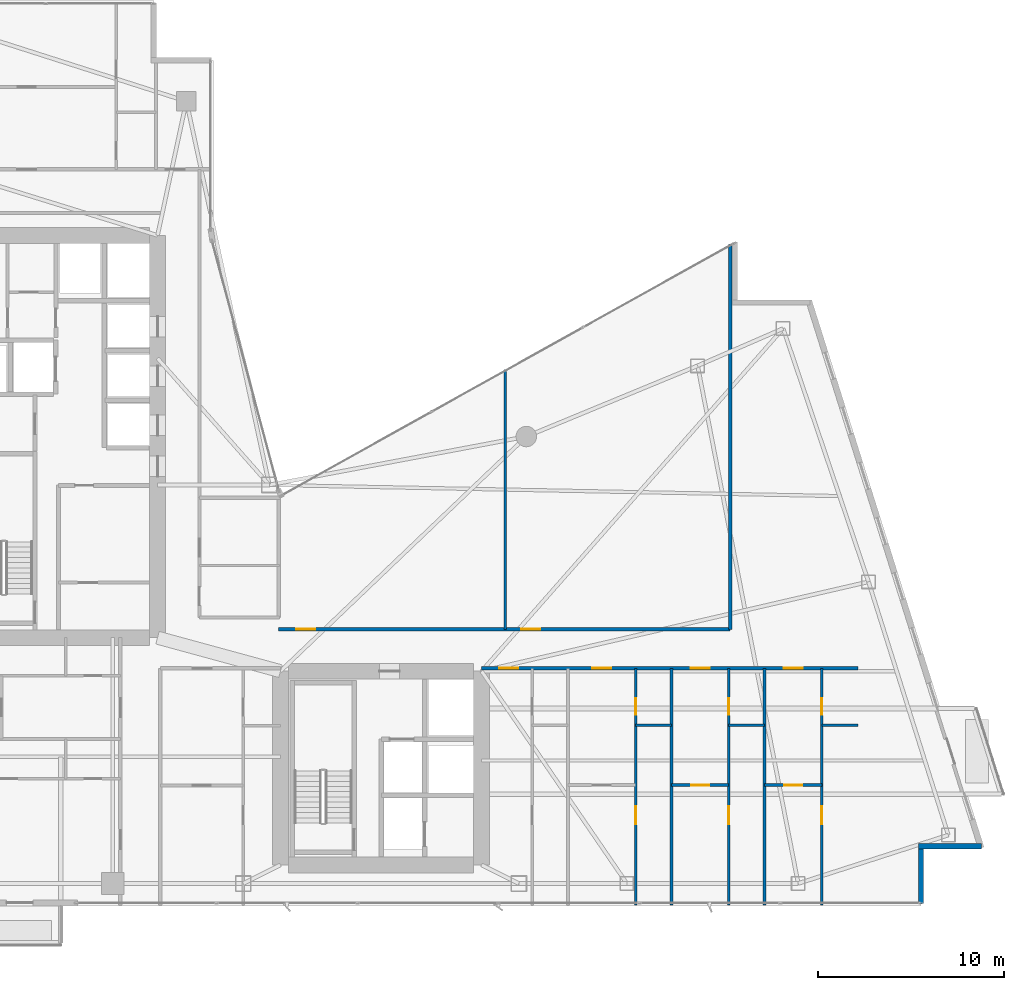
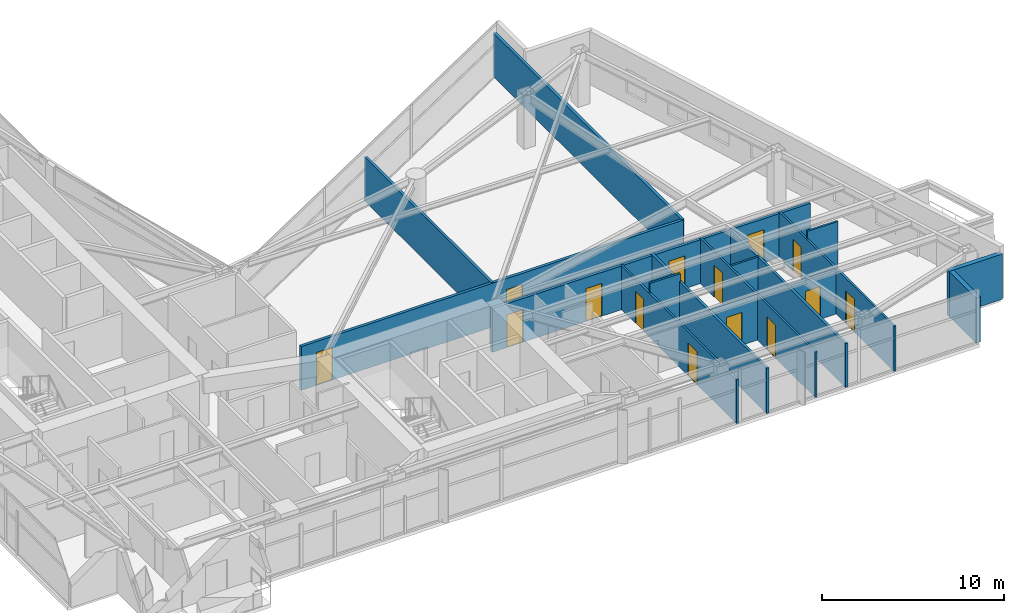
# One storey, part 24 of 29: 16 walls, 14 doors, 14 openings.
"""IFC4 building model written with IfcOpenShell, lengths in metres."""

from ifc_helpers import new_model, si_unit, direction, frame, frame_2d, origin, place, context, subcontext, project, spatial, rectangle, extrude, material, layer, layer_set, type_object, element, fill, save


model = new_model("IFC4")

# Units and contexts
model_context = context("Model", 3, precision=1e-05, world=origin(), true_north=direction((0.0, 1.0)))
body_context = subcontext(model_context, "Body", "Model", "MODEL_VIEW")
ifc_project = project(units=[si_unit("LENGTHUNIT", "METRE"), si_unit("AREAUNIT", "SQUARE_METRE"), si_unit("VOLUMEUNIT", "CUBIC_METRE"), si_unit("PLANEANGLEUNIT", "RADIAN"), si_unit("MASSUNIT", "GRAM", prefix="KILO")], contexts=[model_context])

# Site, building, storey
site_placement = place(None, origin())
site = spatial("IfcSite", under=ifc_project, at=site_placement, CompositionType="ELEMENT")
building_placement = place(site_placement, origin())
building = spatial("IfcBuilding", under=site, at=building_placement, Name="Calvorn Quay Hotel", CompositionType="ELEMENT")
storey_placement = place(building_placement, frame((0.0, 0.0, 167.5)))
storey = spatial("IfcBuildingStorey", under=building, at=storey_placement, Name="L41", CompositionType="ELEMENT", Elevation=167.5)

# Wall, openings, doors
ifc_material_1 = material(Name="Acoustic Fireboard Steel-Stud Partition", Category="steel")
ifc_layer_1 = layer(ifc_material_1, 0.179931640625)
ifc_layer_set_1 = layer_set([ifc_layer_1], Name="WL-CORR-FIRE-180")
wall_type_1 = type_object("IfcWallType", Name="WL-CORR-FIRE-180", PredefinedType="PARTITIONING", material=ifc_layer_set_1)
wall_1_placement = place(storey_placement, frame((32.39990234375, 15.14990234375, 0.0), z_axis=(0.0, 0.0, 1.0), x_axis=(1.0, 0.0, 0.0)))
wall_1 = element("IfcWall", 1, at=wall_1_placement, inside=storey, type_object=wall_type_1, Name="Partition Wall L41-WL-CORR-SE-S", PredefinedType="PARTITIONING", context=body_context, shape_type="SweptSolid", body=[
    extrude(rectangle(XDim=20.2001953125, YDim=0.179931640625, at=frame_2d((10.10009765625, 0.0))), origin(), (0.0, 0.0, 1.0), 2.93994140625),
])
opening_1_placement = place(wall_1_placement, frame((0.949951171875, 0.0, 0.0)))
opening_1 = element("IfcOpeningElement", 2, at=opening_1_placement, cuts=wall_1, Name="Opening D-L41-U05", PredefinedType="OPENING", context=body_context, shape_type="SweptSolid", body=[
    extrude(rectangle(XDim=1.02001953125, YDim=2.199951171875, at=frame_2d((0.510009765625, 1.10009765625))), frame((0.0, 0.099853515625, 0.0), z_axis=(0.0, -1.0, 0.0), x_axis=(1.0, 0.0, 0.0)), (0.0, 0.0, 1.0), 0.199951171875),
])
opening_2_placement = place(wall_1_placement, frame((5.949951171875, 0.0, 0.0)))
opening_2 = element("IfcOpeningElement", 3, at=opening_2_placement, cuts=wall_1, Name="Opening D-L41-U06", PredefinedType="OPENING", context=body_context, shape_type="SweptSolid", body=[
    extrude(rectangle(XDim=1.02001953125, YDim=2.199951171875, at=frame_2d((0.510009765625, 1.10009765625))), frame((0.0, 0.099853515625, 0.0), z_axis=(0.0, -1.0, 0.0), x_axis=(1.0, 0.0, 0.0)), (0.0, 0.0, 1.0), 0.199951171875),
])
opening_3_placement = place(wall_1_placement, frame((11.219970703125, 0.0, 0.0)))
opening_3 = element("IfcOpeningElement", 4, at=opening_3_placement, cuts=wall_1, Name="Opening D-L41-U07", PredefinedType="OPENING", context=body_context, shape_type="SweptSolid", body=[
    extrude(rectangle(XDim=1.02001953125, YDim=2.199951171875, at=frame_2d((0.510009765625, 1.10009765625))), frame((0.0, 0.099853515625, 0.0), z_axis=(0.0, -1.0, 0.0), x_axis=(1.0, 0.0, 0.0)), (0.0, 0.0, 1.0), 0.199951171875),
])
opening_4_placement = place(wall_1_placement, frame((16.219970703125, 0.0, 0.0)))
opening_4 = element("IfcOpeningElement", 5, at=opening_4_placement, cuts=wall_1, Name="Opening D-L41-U08", PredefinedType="OPENING", context=body_context, shape_type="SweptSolid", body=[
    extrude(rectangle(XDim=1.02001953125, YDim=2.199951171875, at=frame_2d((0.510009765625, 1.10009765625))), frame((0.0, 0.099853515625, 0.0), z_axis=(0.0, -1.0, 0.0), x_axis=(1.0, 0.0, 0.0)), (0.0, 0.0, 1.0), 0.199951171875),
])
ifc_material_2 = material(Name="Solid-Core Walnut Veneer Hotel Fire Door")
door_type_1 = type_object("IfcDoorType", Name="DR-GUEST-ENTRY-1020", OperationType="NOTDEFINED", PredefinedType="DOOR", material=ifc_material_2)
door_1_placement = place(opening_1_placement, origin())
door_1 = element("IfcDoor", 6, at=door_1_placement, inside=storey, type_object=door_type_1, Name="South-East Unit Door U05 (L41)", OperationType="SINGLE_SWING_LEFT", OverallHeight=2.199951171875, OverallWidth=1.02001953125, PredefinedType="DOOR", context=body_context, shape_type="SweptSolid", body=[
    extrude(rectangle(XDim=1.02001953125, YDim=2.199951171875, at=frame_2d((0.510009765625, 1.10009765625))), frame((0.0, 0.02490234375, 0.0), z_axis=(0.0, -1.0, 0.0), x_axis=(1.0, 0.0, 0.0)), (0.0, 0.0, 1.0), 0.050048828125),
])
fill(opening_1, door_1)
door_2_placement = place(opening_2_placement, origin())
door_2 = element("IfcDoor", 7, at=door_2_placement, inside=storey, type_object=door_type_1, Name="South-East Unit Door U06 (L41)", OperationType="SINGLE_SWING_RIGHT", OverallHeight=2.199951171875, OverallWidth=1.02001953125, PredefinedType="DOOR", context=body_context, shape_type="SweptSolid", body=[
    extrude(rectangle(XDim=1.02001953125, YDim=2.199951171875, at=frame_2d((0.510009765625, 1.10009765625))), frame((0.0, 0.02490234375, 0.0), z_axis=(0.0, -1.0, 0.0), x_axis=(1.0, 0.0, 0.0)), (0.0, 0.0, 1.0), 0.050048828125),
])
fill(opening_2, door_2)
door_3_placement = place(opening_3_placement, origin())
door_3 = element("IfcDoor", 8, at=door_3_placement, inside=storey, type_object=door_type_1, Name="South-East Unit Door U07 (L41)", OperationType="SINGLE_SWING_LEFT", OverallHeight=2.199951171875, OverallWidth=1.02001953125, PredefinedType="DOOR", context=body_context, shape_type="SweptSolid", body=[
    extrude(rectangle(XDim=1.02001953125, YDim=2.199951171875, at=frame_2d((0.510009765625, 1.10009765625))), frame((0.0, 0.02490234375, 0.0), z_axis=(0.0, -1.0, 0.0), x_axis=(1.0, 0.0, 0.0)), (0.0, 0.0, 1.0), 0.050048828125),
])
fill(opening_3, door_3)
door_4_placement = place(opening_4_placement, origin())
door_4 = element("IfcDoor", 9, at=door_4_placement, inside=storey, type_object=door_type_1, Name="South-East Unit Door U08 (L41)", OperationType="SINGLE_SWING_RIGHT", OverallHeight=2.199951171875, OverallWidth=1.02001953125, PredefinedType="DOOR", context=body_context, shape_type="SweptSolid", body=[
    extrude(rectangle(XDim=1.02001953125, YDim=2.199951171875, at=frame_2d((0.510009765625, 1.10009765625))), frame((0.0, 0.02490234375, 0.0), z_axis=(0.0, -1.0, 0.0), x_axis=(1.0, 0.0, 0.0)), (0.0, 0.0, 1.0), 0.050048828125),
])
fill(opening_4, door_4)

wall_2_placement = place(storey_placement, frame((21.5, 17.25, 0.0), z_axis=(0.0, 0.0, 1.0), x_axis=(1.0, 0.0, 0.0)))
wall_2 = element("IfcWall", 10, at=wall_2_placement, inside=storey, type_object=wall_type_1, Name="Partition Wall L41-WL-CORR-NE-N", PredefinedType="PARTITIONING", context=body_context, shape_type="SweptSolid", body=[
    extrude(rectangle(XDim=24.25, YDim=0.179931640625, at=frame_2d((12.125, 0.0))), origin(), (0.0, 0.0, 1.0), 2.93994140625),
])
opening_5_placement = place(wall_2_placement, frame((0.949951171875, 0.0, 0.0)))
opening_5 = element("IfcOpeningElement", 11, at=opening_5_placement, cuts=wall_2, Name="Opening D-L41-NS1", PredefinedType="OPENING", context=body_context, shape_type="SweptSolid", body=[
    extrude(rectangle(XDim=1.02001953125, YDim=2.199951171875, at=frame_2d((0.510009765625, 1.10009765625))), frame((0.0, 0.099853515625, 0.0), z_axis=(0.0, -1.0, 0.0), x_axis=(1.0, 0.0, 0.0)), (0.0, 0.0, 1.0), 0.199951171875),
])
opening_6_placement = place(wall_2_placement, frame((13.02001953125, 0.0, 0.0)))
opening_6 = element("IfcOpeningElement", 12, at=opening_6_placement, cuts=wall_2, Name="Opening D-L41-NS2", PredefinedType="OPENING", context=body_context, shape_type="SweptSolid", body=[
    extrude(rectangle(XDim=1.02001953125, YDim=2.199951171875, at=frame_2d((0.510009765625, 1.10009765625))), frame((0.0, 0.099853515625, 0.0), z_axis=(0.0, -1.0, 0.0), x_axis=(1.0, 0.0, 0.0)), (0.0, 0.0, 1.0), 0.199951171875),
])
door_5_placement = place(opening_5_placement, origin())
door_5 = element("IfcDoor", 13, at=door_5_placement, inside=storey, type_object=door_type_1, Name="Conservatory Salon Door 1 (L41)", OperationType="SINGLE_SWING_RIGHT", OverallHeight=2.199951171875, OverallWidth=1.02001953125, PredefinedType="DOOR", context=body_context, shape_type="SweptSolid", body=[
    extrude(rectangle(XDim=1.02001953125, YDim=2.199951171875, at=frame_2d((0.510009765625, 1.10009765625))), frame((0.0, 0.02490234375, 0.0), z_axis=(0.0, -1.0, 0.0), x_axis=(1.0, 0.0, 0.0)), (0.0, 0.0, 1.0), 0.050048828125),
])
fill(opening_5, door_5)
door_6_placement = place(opening_6_placement, origin())
door_6 = element("IfcDoor", 14, at=door_6_placement, inside=storey, type_object=door_type_1, Name="Conservatory Salon Door 2 (L41)", OperationType="SINGLE_SWING_LEFT", OverallHeight=2.199951171875, OverallWidth=1.02001953125, PredefinedType="DOOR", context=body_context, shape_type="SweptSolid", body=[
    extrude(rectangle(XDim=1.02001953125, YDim=2.199951171875, at=frame_2d((0.510009765625, 1.10009765625))), frame((0.0, 0.02490234375, 0.0), z_axis=(0.0, -1.0, 0.0), x_axis=(1.0, 0.0, 0.0)), (0.0, 0.0, 1.0), 0.050048828125),
])
fill(opening_6, door_6)

# Walls
wall_3_placement = place(storey_placement, frame((45.75, 17.25, 0.0), z_axis=(0.0, 0.0, 1.0), x_axis=(0.0, 1.0, 0.0)))
element("IfcWall", 15, at=wall_3_placement, inside=storey, type_object=wall_type_1, Name="Partition Wall L41-WL-NE-END-E", PredefinedType="PARTITIONING", context=body_context, shape_type="SweptSolid", body=[
    extrude(rectangle(XDim=20.68994140625, YDim=0.179931640625, at=frame_2d((10.344970703125, 0.0))), origin(), (0.0, 0.0, 1.0), 2.93994140625),
])
ifc_material_3 = material(Name="Moisture-Resistant Tile-Backed Partition")
ifc_layer_2 = layer(ifc_material_3, 0.125)
ifc_layer_set_2 = layer_set([ifc_layer_2], Name="WL-ENSUITE-125")
wall_type_2 = type_object("IfcWallType", Name="WL-ENSUITE-125", PredefinedType="PARTITIONING", material=ifc_layer_set_2)
wall_4_placement = place(storey_placement, frame((40.669921875, 12.10009765625, 0.0), z_axis=(0.0, 0.0, 1.0), x_axis=(1.0, 0.0, 0.0)))
element("IfcWall", 16, at=wall_4_placement, inside=storey, type_object=wall_type_2, Name="Partition Wall L41-WL-U06-BDV", PredefinedType="PARTITIONING", context=body_context, shape_type="SweptSolid", body=[
    extrude(rectangle(XDim=1.93017578125, YDim=0.125, at=frame_2d((0.965087890625, 0.0))), origin(), (0.0, 0.0, 1.0), 3.56005859375),
])

# Wall, openings, doors
wall_5_placement = place(storey_placement, frame((40.669921875, 2.43994140625, 0.0), z_axis=(0.0, 0.0, 1.0), x_axis=(0.0, 1.0, 0.0)))
wall_5 = element("IfcWall", 17, at=wall_5_placement, inside=storey, type_object=wall_type_2, Name="Partition Wall L41-WL-U06-BV", PredefinedType="PARTITIONING", context=body_context, shape_type="SweptSolid", body=[
    extrude(rectangle(XDim=12.7099609375, YDim=0.125, at=frame_2d((6.35498046875, 0.0))), origin(), (0.0, 0.0, 1.0), 2.93994140625),
])
opening_7_placement = place(wall_5_placement, frame((4.35009765625, 0.0, 0.0)))
opening_7 = element("IfcOpeningElement", 18, at=opening_7_placement, cuts=wall_5, Name="Opening D-L41-S06", PredefinedType="OPENING", context=body_context, shape_type="SweptSolid", body=[
    extrude(rectangle(XDim=0.9599609375, YDim=2.199951171875, at=frame_2d((0.47998046875, 1.10009765625))), frame((0.0, 0.072509765625, 0.0), z_axis=(0.0, -1.0, 0.0), x_axis=(1.0, 0.0, 0.0)), (0.0, 0.0, 1.0), 0.14501953125),
])
opening_8_placement = place(wall_5_placement, frame((10.2099609375, 0.0, 0.0)))
opening_8 = element("IfcOpeningElement", 19, at=opening_8_placement, cuts=wall_5, Name="Opening D-L41-E06", PredefinedType="OPENING", context=body_context, shape_type="SweptSolid", body=[
    extrude(rectangle(XDim=0.89990234375, YDim=2.14990234375, at=frame_2d((0.449951171875, 1.074951171875))), frame((0.0, 0.072509765625, 0.0), z_axis=(0.0, -1.0, 0.0), x_axis=(1.0, 0.0, 0.0)), (0.0, 0.0, 1.0), 0.14501953125),
])
ifc_material_4 = material(Name="Moisture-Sealed Timber En-Suite Door", Category="wood")
door_type_2 = type_object("IfcDoorType", Name="DR-ENSUITE-900", OperationType="NOTDEFINED", PredefinedType="DOOR", material=ifc_material_4)
door_7_placement = place(opening_8_placement, origin())
door_7 = element("IfcDoor", 20, at=door_7_placement, inside=storey, type_object=door_type_2, Name="En-Suite Door 06", OperationType="SINGLE_SWING_RIGHT", OverallHeight=2.14990234375, OverallWidth=0.89990234375, PredefinedType="DOOR", context=body_context, shape_type="SweptSolid", body=[
    extrude(rectangle(XDim=0.89990234375, YDim=2.14990234375, at=frame_2d((0.449951171875, 1.074951171875))), frame((0.0, 0.02490234375, 0.0), z_axis=(0.0, -1.0, 0.0), x_axis=(1.0, 0.0, 0.0)), (0.0, 0.0, 1.0), 0.050048828125),
])
fill(opening_8, door_7)
ifc_material_5 = material(Name="Solid Timber Internal Suite Door", Category="wood")
door_type_3 = type_object("IfcDoorType", Name="DR-SUITE-INT-960", OperationType="NOTDEFINED", PredefinedType="DOOR", material=ifc_material_5)
door_8_placement = place(opening_7_placement, origin())
door_8 = element("IfcDoor", 21, at=door_8_placement, inside=storey, type_object=door_type_3, Name="Private Media Cinema Door 06", OperationType="SINGLE_SWING_LEFT", OverallHeight=2.199951171875, OverallWidth=0.9599609375, PredefinedType="DOOR", context=body_context, shape_type="SweptSolid", body=[
    extrude(rectangle(XDim=0.9599609375, YDim=2.199951171875, at=frame_2d((0.47998046875, 1.10009765625))), frame((0.0, 0.02490234375, 0.0), z_axis=(0.0, -1.0, 0.0), x_axis=(1.0, 0.0, 0.0)), (0.0, 0.0, 1.0), 0.050048828125),
])
fill(opening_7, door_8)

# Wall
wall_6_placement = place(storey_placement, frame((45.669921875, 12.10009765625, 0.0), z_axis=(0.0, 0.0, 1.0), x_axis=(1.0, 0.0, 0.0)))
element("IfcWall", 22, at=wall_6_placement, inside=storey, type_object=wall_type_2, Name="Partition Wall L41-WL-U07-BDV", PredefinedType="PARTITIONING", context=body_context, shape_type="SweptSolid", body=[
    extrude(rectangle(XDim=1.93017578125, YDim=0.125, at=frame_2d((0.965087890625, 0.0))), origin(), (0.0, 0.0, 1.0), 2.93994140625),
])

# Wall, openings, doors
wall_7_placement = place(storey_placement, frame((45.669921875, 2.43994140625, 0.0), z_axis=(0.0, 0.0, 1.0), x_axis=(0.0, 1.0, 0.0)))
wall_7 = element("IfcWall", 23, at=wall_7_placement, inside=storey, type_object=wall_type_2, Name="Partition Wall L41-WL-U07-BV", PredefinedType="PARTITIONING", context=body_context, shape_type="SweptSolid", body=[
    extrude(rectangle(XDim=12.7099609375, YDim=0.125, at=frame_2d((6.35498046875, 0.0))), origin(), (0.0, 0.0, 1.0), 3.0400390625),
])
opening_9_placement = place(wall_7_placement, frame((4.35009765625, 0.0, 0.0)))
opening_9 = element("IfcOpeningElement", 24, at=opening_9_placement, cuts=wall_7, Name="Opening D-L41-S07", PredefinedType="OPENING", context=body_context, shape_type="SweptSolid", body=[
    extrude(rectangle(XDim=0.9599609375, YDim=2.199951171875, at=frame_2d((0.47998046875, 1.10009765625))), frame((0.0, 0.072509765625, 0.0), z_axis=(0.0, -1.0, 0.0), x_axis=(1.0, 0.0, 0.0)), (0.0, 0.0, 1.0), 0.14501953125),
])
opening_10_placement = place(wall_7_placement, frame((10.2099609375, 0.0, 0.0)))
opening_10 = element("IfcOpeningElement", 25, at=opening_10_placement, cuts=wall_7, Name="Opening D-L41-E07", PredefinedType="OPENING", context=body_context, shape_type="SweptSolid", body=[
    extrude(rectangle(XDim=0.89990234375, YDim=2.14990234375, at=frame_2d((0.449951171875, 1.074951171875))), frame((0.0, 0.072509765625, 0.0), z_axis=(0.0, -1.0, 0.0), x_axis=(1.0, 0.0, 0.0)), (0.0, 0.0, 1.0), 0.14501953125),
])
door_9_placement = place(opening_10_placement, origin())
door_9 = element("IfcDoor", 26, at=door_9_placement, inside=storey, type_object=door_type_2, Name="En-Suite Door 07", OperationType="SINGLE_SWING_RIGHT", OverallHeight=2.14990234375, OverallWidth=0.89990234375, PredefinedType="DOOR", context=body_context, shape_type="SweptSolid", body=[
    extrude(rectangle(XDim=0.89990234375, YDim=2.14990234375, at=frame_2d((0.449951171875, 1.074951171875))), frame((0.0, 0.02490234375, 0.0), z_axis=(0.0, -1.0, 0.0), x_axis=(1.0, 0.0, 0.0)), (0.0, 0.0, 1.0), 0.050048828125),
])
fill(opening_10, door_9)
door_10_placement = place(opening_9_placement, origin())
door_10 = element("IfcDoor", 27, at=door_10_placement, inside=storey, type_object=door_type_3, Name="Private Media Cinema Door 07", OperationType="SINGLE_SWING_LEFT", OverallHeight=2.199951171875, OverallWidth=0.9599609375, PredefinedType="DOOR", context=body_context, shape_type="SweptSolid", body=[
    extrude(rectangle(XDim=0.9599609375, YDim=2.199951171875, at=frame_2d((0.47998046875, 1.10009765625))), frame((0.0, 0.02490234375, 0.0), z_axis=(0.0, -1.0, 0.0), x_axis=(1.0, 0.0, 0.0)), (0.0, 0.0, 1.0), 0.050048828125),
])
fill(opening_9, door_10)

# Wall
wall_8_placement = place(storey_placement, frame((50.669921875, 12.10009765625, 0.0), z_axis=(0.0, 0.0, 1.0), x_axis=(1.0, 0.0, 0.0)))
element("IfcWall", 28, at=wall_8_placement, inside=storey, type_object=wall_type_2, Name="Partition Wall L41-WL-U08-BDV", PredefinedType="PARTITIONING", context=body_context, shape_type="SweptSolid", body=[
    extrude(rectangle(XDim=1.93017578125, YDim=0.125, at=frame_2d((0.965087890625, 0.0))), origin(), (0.0, 0.0, 1.0), 3.56005859375),
])

# Wall, openings, doors
wall_9_placement = place(storey_placement, frame((50.669921875, 2.43994140625, 0.0), z_axis=(0.0, 0.0, 1.0), x_axis=(0.0, 1.0, 0.0)))
wall_9 = element("IfcWall", 29, at=wall_9_placement, inside=storey, type_object=wall_type_2, Name="Partition Wall L41-WL-U08-BV", PredefinedType="PARTITIONING", context=body_context, shape_type="SweptSolid", body=[
    extrude(rectangle(XDim=12.7099609375, YDim=0.125, at=frame_2d((6.35498046875, 0.0))), origin(), (0.0, 0.0, 1.0), 3.0400390625),
])
opening_11_placement = place(wall_9_placement, frame((4.35009765625, 0.0, 0.0)))
opening_11 = element("IfcOpeningElement", 30, at=opening_11_placement, cuts=wall_9, Name="Opening D-L41-S08", PredefinedType="OPENING", context=body_context, shape_type="SweptSolid", body=[
    extrude(rectangle(XDim=0.9599609375, YDim=2.199951171875, at=frame_2d((0.47998046875, 1.10009765625))), frame((0.0, 0.072509765625, 0.0), z_axis=(0.0, -1.0, 0.0), x_axis=(1.0, 0.0, 0.0)), (0.0, 0.0, 1.0), 0.14501953125),
])
opening_12_placement = place(wall_9_placement, frame((10.2099609375, 0.0, 0.0)))
opening_12 = element("IfcOpeningElement", 31, at=opening_12_placement, cuts=wall_9, Name="Opening D-L41-E08", PredefinedType="OPENING", context=body_context, shape_type="SweptSolid", body=[
    extrude(rectangle(XDim=0.89990234375, YDim=2.14990234375, at=frame_2d((0.449951171875, 1.074951171875))), frame((0.0, 0.072509765625, 0.0), z_axis=(0.0, -1.0, 0.0), x_axis=(1.0, 0.0, 0.0)), (0.0, 0.0, 1.0), 0.14501953125),
])
door_11_placement = place(opening_12_placement, origin())
door_11 = element("IfcDoor", 32, at=door_11_placement, inside=storey, type_object=door_type_2, Name="En-Suite Door 08", OperationType="SINGLE_SWING_RIGHT", OverallHeight=2.14990234375, OverallWidth=0.89990234375, PredefinedType="DOOR", context=body_context, shape_type="SweptSolid", body=[
    extrude(rectangle(XDim=0.89990234375, YDim=2.14990234375, at=frame_2d((0.449951171875, 1.074951171875))), frame((0.0, 0.02490234375, 0.0), z_axis=(0.0, -1.0, 0.0), x_axis=(1.0, 0.0, 0.0)), (0.0, 0.0, 1.0), 0.050048828125),
])
fill(opening_12, door_11)
door_12_placement = place(opening_11_placement, origin())
door_12 = element("IfcDoor", 33, at=door_12_placement, inside=storey, type_object=door_type_3, Name="Private Media Cinema Door 08", OperationType="SINGLE_SWING_LEFT", OverallHeight=2.199951171875, OverallWidth=0.9599609375, PredefinedType="DOOR", context=body_context, shape_type="SweptSolid", body=[
    extrude(rectangle(XDim=0.9599609375, YDim=2.199951171875, at=frame_2d((0.47998046875, 1.10009765625))), frame((0.0, 0.02490234375, 0.0), z_axis=(0.0, -1.0, 0.0), x_axis=(1.0, 0.0, 0.0)), (0.0, 0.0, 1.0), 0.050048828125),
])
fill(opening_11, door_12)

# Walls
ifc_material_6 = material(Name="Concrete C40", Category="concrete")
ifc_layer_3 = layer(ifc_material_6, 0.320068359375)
ifc_layer_set_3 = layer_set([ifc_layer_3], Name="WL-EXT-SPANDREL-320")
wall_type_3 = type_object("IfcWallType", Name="WL-EXT-SPANDREL-320", PredefinedType="SOLIDWALL", material=ifc_layer_set_3)
wall_10_placement = place(storey_placement, frame((56.0, 2.52001953125, 0.0), z_axis=(0.0, 0.0, 1.0), x_axis=(0.0, 1.0, 0.0)))
element("IfcWall", 34, at=wall_10_placement, inside=storey, type_object=wall_type_3, Name="Notched Corner Spandrel L41-SE1", PredefinedType="SOLIDWALL", context=body_context, shape_type="SweptSolid", body=[
    extrude(rectangle(XDim=2.93994140625, YDim=0.280029296875, at=frame_2d((1.469970703125, 0.0))), origin(), (0.0, 0.0, 1.0), 3.0400390625),
])
wall_11_placement = place(storey_placement, frame((55.860107421875, 5.60009765625, 0.0), z_axis=(0.0, 0.0, 1.0), x_axis=(1.0, 0.0, 0.0)))
element("IfcWall", 35, at=wall_11_placement, inside=storey, type_object=wall_type_3, Name="Notched Corner Spandrel L41-SE2", PredefinedType="SOLIDWALL", context=body_context, shape_type="SweptSolid", body=[
    extrude(rectangle(XDim=3.3798828125, YDim=0.280029296875, at=frame_2d((1.68994140625, 0.0))), origin(), (0.0, 0.0, 1.0), 3.0400390625),
])

# Wall, opening, door
ifc_material_7 = material(Name="Double-Stud Acoustic Gypsum Partition")
ifc_layer_4 = layer(ifc_material_7, 0.159912109375)
ifc_layer_set_4 = layer_set([ifc_layer_4], Name="WL-INTERSUITE-160")
wall_type_4 = type_object("IfcWallType", Name="WL-INTERSUITE-160", PredefinedType="PARTITIONING", material=ifc_layer_set_4)
wall_12_placement = place(storey_placement, frame((42.60009765625, 8.8798828125, 0.0), z_axis=(0.0, 0.0, 1.0), x_axis=(1.0, 0.0, 0.0)))
wall_12 = element("IfcWall", 36, at=wall_12_placement, inside=storey, type_object=wall_type_4, Name="Partition Wall L41-WL-U07-MSP", PredefinedType="PARTITIONING", context=body_context, shape_type="SweptSolid", body=[
    extrude(rectangle(XDim=3.06982421875, YDim=0.159912109375, at=frame_2d((1.534912109375, 0.0))), origin(), (0.0, 0.0, 1.0), 3.090087890625),
])
opening_13_placement = place(wall_12_placement, frame((1.06005859375, 0.0, 0.0)))
opening_13 = element("IfcOpeningElement", 37, at=opening_13_placement, cuts=wall_12, Name="Opening D-L41-M07", PredefinedType="OPENING", context=body_context, shape_type="SweptSolid", body=[
    extrude(rectangle(XDim=0.9599609375, YDim=2.199951171875, at=frame_2d((0.47998046875, 1.10009765625))), frame((0.0, 0.08984375, 0.0), z_axis=(0.0, -1.0, 0.0), x_axis=(1.0, 0.0, 0.0)), (0.0, 0.0, 1.0), 0.179931640625),
])
door_13_placement = place(opening_13_placement, origin())
door_13 = element("IfcDoor", 38, at=door_13_placement, inside=storey, type_object=door_type_3, Name="Suite Bedroom Door 07", OperationType="SINGLE_SWING_LEFT", OverallHeight=2.199951171875, OverallWidth=0.9599609375, PredefinedType="DOOR", context=body_context, shape_type="SweptSolid", body=[
    extrude(rectangle(XDim=0.9599609375, YDim=2.199951171875, at=frame_2d((0.47998046875, 1.10009765625))), frame((0.0, 0.02490234375, 0.0), z_axis=(0.0, -1.0, 0.0), x_axis=(1.0, 0.0, 0.0)), (0.0, 0.0, 1.0), 0.050048828125),
])
fill(opening_13, door_13)

# Wall
wall_13_placement = place(storey_placement, frame((42.60009765625, 2.43994140625, 0.0), z_axis=(0.0, 0.0, 1.0), x_axis=(0.0, 1.0, 0.0)))
element("IfcWall", 39, at=wall_13_placement, inside=storey, type_object=wall_type_4, Name="Partition Wall L41-WL-SE-DIV-2", PredefinedType="PARTITIONING", context=body_context, shape_type="SweptSolid", body=[
    extrude(rectangle(XDim=12.7099609375, YDim=0.159912109375, at=frame_2d((6.35498046875, 0.0))), origin(), (0.0, 0.0, 1.0), 3.0400390625),
])

# Wall, opening, door
wall_14_placement = place(storey_placement, frame((47.60009765625, 8.8798828125, 0.0), z_axis=(0.0, 0.0, 1.0), x_axis=(1.0, 0.0, 0.0)))
wall_14 = element("IfcWall", 40, at=wall_14_placement, inside=storey, type_object=wall_type_4, Name="Partition Wall L41-WL-U08-MSP", PredefinedType="PARTITIONING", context=body_context, shape_type="SweptSolid", body=[
    extrude(rectangle(XDim=3.06982421875, YDim=0.159912109375, at=frame_2d((1.534912109375, 0.0))), origin(), (0.0, 0.0, 1.0), 2.93994140625),
])
opening_14_placement = place(wall_14_placement, frame((1.06005859375, 0.0, 0.0)))
opening_14 = element("IfcOpeningElement", 41, at=opening_14_placement, cuts=wall_14, Name="Opening D-L41-M08", PredefinedType="OPENING", context=body_context, shape_type="SweptSolid", body=[
    extrude(rectangle(XDim=0.9599609375, YDim=2.199951171875, at=frame_2d((0.47998046875, 1.10009765625))), frame((0.0, 0.08984375, 0.0), z_axis=(0.0, -1.0, 0.0), x_axis=(1.0, 0.0, 0.0)), (0.0, 0.0, 1.0), 0.179931640625),
])
door_14_placement = place(opening_14_placement, origin())
door_14 = element("IfcDoor", 42, at=door_14_placement, inside=storey, type_object=door_type_3, Name="Suite Bedroom Door 08", OperationType="SINGLE_SWING_LEFT", OverallHeight=2.199951171875, OverallWidth=0.9599609375, PredefinedType="DOOR", context=body_context, shape_type="SweptSolid", body=[
    extrude(rectangle(XDim=0.9599609375, YDim=2.199951171875, at=frame_2d((0.47998046875, 1.10009765625))), frame((0.0, 0.02490234375, 0.0), z_axis=(0.0, -1.0, 0.0), x_axis=(1.0, 0.0, 0.0)), (0.0, 0.0, 1.0), 0.050048828125),
])
fill(opening_14, door_14)

# Walls
wall_15_placement = place(storey_placement, frame((47.60009765625, 2.43994140625, 0.0), z_axis=(0.0, 0.0, 1.0), x_axis=(0.0, 1.0, 0.0)))
element("IfcWall", 43, at=wall_15_placement, inside=storey, type_object=wall_type_4, Name="Partition Wall L41-WL-SE-DIV-3", PredefinedType="PARTITIONING", context=body_context, shape_type="SweptSolid", body=[
    extrude(rectangle(XDim=12.7099609375, YDim=0.159912109375, at=frame_2d((6.35498046875, 0.0))), origin(), (0.0, 0.0, 1.0), 2.93994140625),
])
wall_16_placement = place(storey_placement, frame((33.669921875, 17.25, 0.0), z_axis=(0.0, 0.0, 1.0), x_axis=(0.0, 1.0, 0.0)))
element("IfcWall", 44, at=wall_16_placement, inside=storey, type_object=wall_type_4, Name="Partition Wall L41-WL-NE-DIV-1", PredefinedType="PARTITIONING", context=body_context, shape_type="SweptSolid", body=[
    extrude(rectangle(XDim=13.9599609375, YDim=0.159912109375, at=frame_2d((6.97998046875, 0.0))), origin(), (0.0, 0.0, 1.0), 2.93994140625),
])

save(model, "model.ifc")
